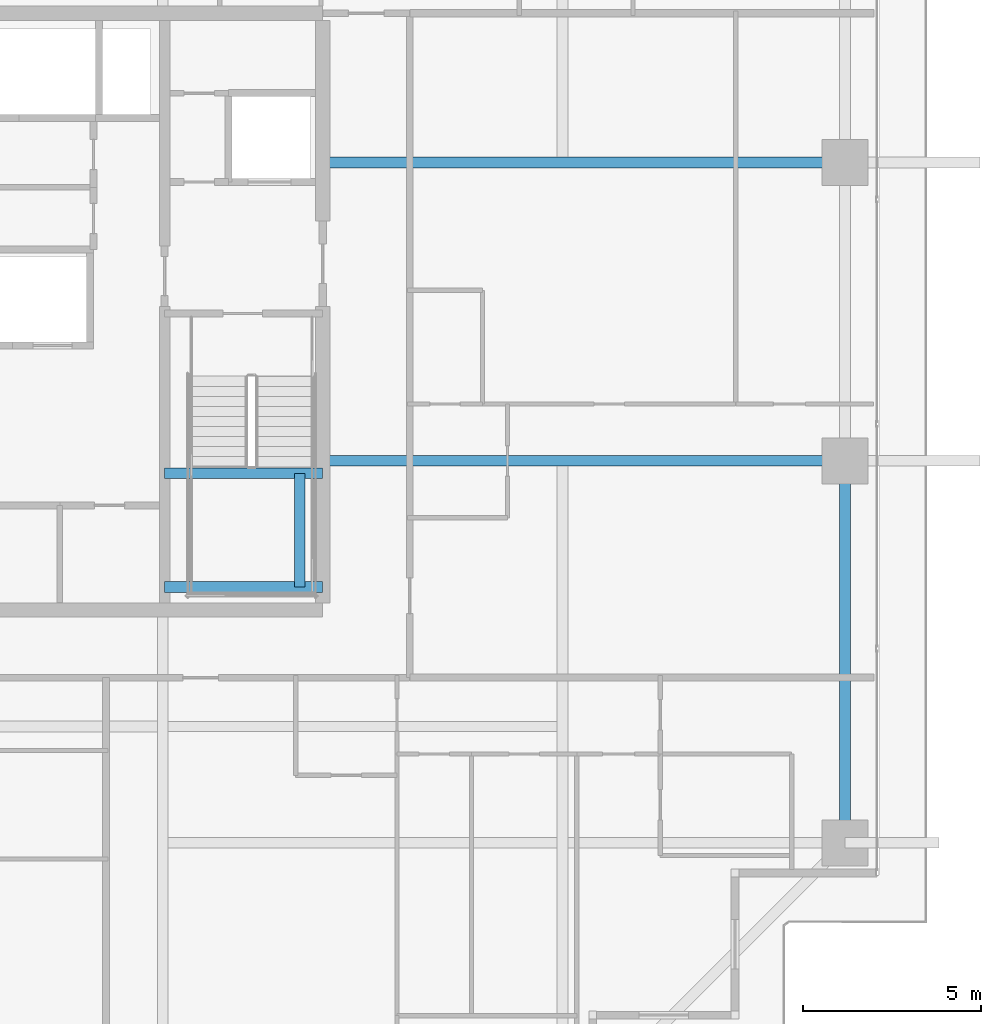
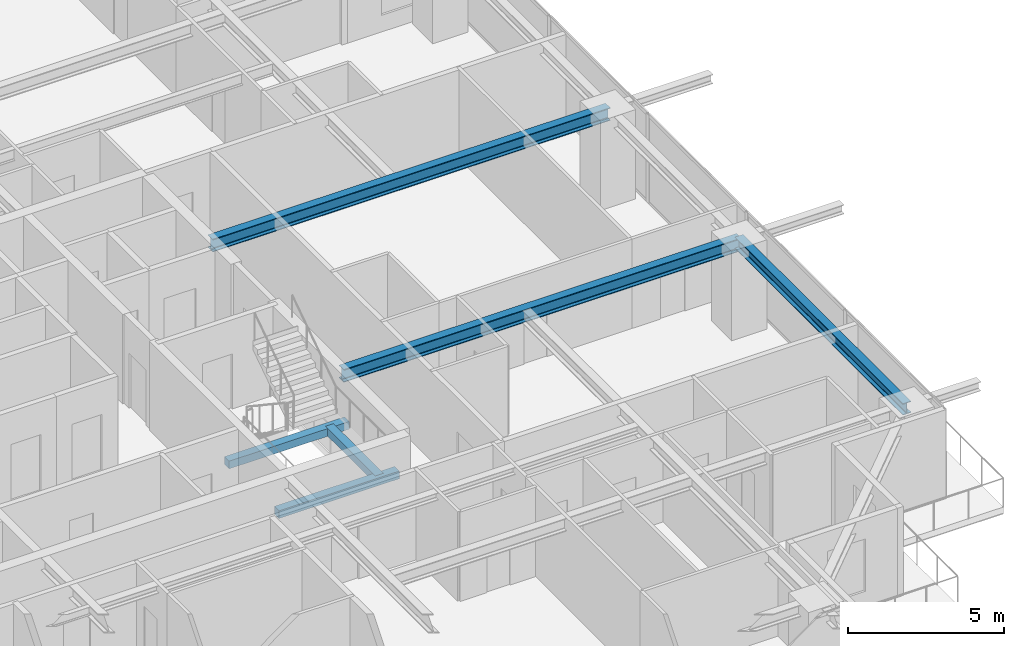
# One storey, part 14 of 35: 6 beams.
"""IFC4 building model written with IfcOpenShell, lengths in metres."""

from ifc_helpers import new_model, si_unit, direction, frame, origin, origin_2d, place, context, subcontext, project, spatial, rectangle, i_section, extrude, source, transform, mapped, material, material_profile, profile_set, type_object, element, save


model = new_model("IFC4")

# Units and contexts
model_context = context("Model", 3, precision=1e-05, world=origin(), true_north=direction((0.0, 1.0)))
body_context = subcontext(model_context, "Body", "Model", "MODEL_VIEW")
ifc_project = project(units=[si_unit("LENGTHUNIT", "METRE"), si_unit("AREAUNIT", "SQUARE_METRE"), si_unit("VOLUMEUNIT", "CUBIC_METRE"), si_unit("PLANEANGLEUNIT", "RADIAN"), si_unit("MASSUNIT", "GRAM", prefix="KILO")], contexts=[model_context])

# Site, building, storey
site_placement = place(None, origin())
site = spatial("IfcSite", under=ifc_project, at=site_placement, CompositionType="ELEMENT")
building_placement = place(site_placement, origin())
building = spatial("IfcBuilding", under=site, at=building_placement, Name="Serunith Strait Residences", CompositionType="ELEMENT")
storey_placement = place(building_placement, frame((0.0, 0.0, 172.64990234375)))
storey = spatial("IfcBuildingStorey", under=building, at=storey_placement, Name="L43", CompositionType="ELEMENT", Elevation=172.64990234375)

# Beams
ifc_material_1 = material(Name="Steel S355J2", Category="steel")
ifc_material_profile_1 = material_profile(ifc_material_1, i_section(OverallWidth=0.300048828125, OverallDepth=0.5, WebThickness=0.014404296875, FlangeThickness=0.028076171875, FilletRadius=0.027099609375, at=origin_2d()), Name="HEB 500")
ifc_profile_set_1 = profile_set([ifc_material_profile_1], Name="Steel S355J2")
beam_type_1 = type_object("IfcBeamType", Name="BM-HEB500", PredefinedType="BEAM", material=ifc_profile_set_1)
shared_shape_1 = source(origin(), body_context, "Body", "SweptSolid", [
    extrude(i_section(OverallWidth=0.300048828125, OverallDepth=0.5, WebThickness=0.014404296875, FlangeThickness=0.028076171875, FilletRadius=0.027099609375, at=origin_2d()), origin(), (0.0, 0.0, 1.0), 14.7001953125),
])
for number, where, z_axis, x_axis, name in (
    (1, (41.39990234375, 21.0, 3.237060546875), (1.0, 0.0, 0.0), (0.0, 1.0, 0.0), "L43 Primary Floor Girder TC-E2"),
    (2, (41.39990234375, 29.39990234375, 3.237060546875), (1.0, 0.0, 0.0), (0.0, 1.0, 0.0), "L43 Primary Floor Girder TC-E3"),
):
    element("IfcBeam", number, at=place(storey_placement, frame(where, z_axis=z_axis, x_axis=x_axis)), inside=storey, type_object=beam_type_1, Name=name, PredefinedType="BEAM", context=body_context, shape_type="MappedRepresentation", body=[
        mapped(shared_shape_1, transform((0.0, 0.0, 0.0), scale=1.0)),
    ])
ifc_material_profile_2 = material_profile(ifc_material_1, i_section(OverallWidth=0.300048828125, OverallDepth=0.449951171875, WebThickness=0.013916015625, FlangeThickness=0.02587890625, FilletRadius=0.027099609375, at=origin_2d()), Name="HEB 450")
ifc_profile_set_2 = profile_set([ifc_material_profile_2], Name="Steel S355J2")
beam_type_2 = type_object("IfcBeamType", Name="BM-HEB450", PredefinedType="BEAM", material=ifc_profile_set_2)
shared_shape_2 = source(origin(), body_context, "Body", "SweptSolid", [
    extrude(i_section(OverallWidth=0.300048828125, OverallDepth=0.449951171875, WebThickness=0.013916015625, FlangeThickness=0.02587890625, FilletRadius=0.027099609375, at=origin_2d()), origin(), (0.0, 0.0, 1.0), 10.75),
])
beam_1_placement = place(storey_placement, frame((56.10009765625, 10.25, 3.26220703125), z_axis=(0.0, 1.0, 0.0), x_axis=(-1.0, 0.0, 0.0)))
element("IfcBeam", 3, at=beam_1_placement, inside=storey, type_object=beam_type_2, Name="L43 Perimeter Ring Beam 05", PredefinedType="BEAM", context=body_context, shape_type="MappedRepresentation", body=[
    mapped(shared_shape_2, transform((0.0, 0.0, 0.0), scale=1.0)),
])
ifc_material_2 = material(Name="Concrete C60/75", Category="concrete")
ifc_material_profile_3 = material_profile(ifc_material_2, rectangle(XDim=0.300048828125, YDim=0.300048828125, at=origin_2d()), Name="RC 300x300")
ifc_profile_set_3 = profile_set([ifc_material_profile_3], Name="Concrete C60/75")
beam_type_3 = type_object("IfcBeamType", Name="BM-LAND-300x300", PredefinedType="BEAM", material=ifc_profile_set_3)
shared_shape_3 = source(origin(), body_context, "Body", "SweptSolid", [
    extrude(rectangle(XDim=0.300048828125, YDim=0.300048828125, at=origin_2d()), origin(), (0.0, 0.0, 1.0), 3.199951171875),
])
beam_2_placement = place(storey_placement, frame((40.75, 17.449951171875, 1.525146484375), z_axis=(0.0, 1.0, 0.0), x_axis=(-1.0, 0.0, 0.0)))
element("IfcBeam", 4, at=beam_2_placement, inside=storey, type_object=beam_type_3, Name="L43 ST-2 Landing Transverse Tie Beam", PredefinedType="BEAM", context=body_context, shape_type="MappedRepresentation", body=[
    mapped(shared_shape_3, transform((0.0, 0.0, 0.0), scale=1.0)),
])
shared_shape_4 = source(origin(), body_context, "Body", "SweptSolid", [
    extrude(rectangle(XDim=0.300048828125, YDim=0.300048828125, at=origin_2d()), origin(), (0.0, 0.0, 1.0), 4.449951171875),
])
for number, where, z_axis, x_axis, name in (
    (5, (36.949951171875, 17.449951171875, 1.525146484375), (1.0, 0.0, 0.0), (0.0, 1.0, 0.0), "L43 ST-2 Landing Support Beam 1"),
    (6, (36.949951171875, 20.64990234375, 1.525146484375), (1.0, 0.0, 0.0), (0.0, 1.0, 0.0), "L43 ST-2 Landing Support Beam 2"),
):
    element("IfcBeam", number, at=place(storey_placement, frame(where, z_axis=z_axis, x_axis=x_axis)), inside=storey, type_object=beam_type_3, Name=name, PredefinedType="BEAM", context=body_context, shape_type="MappedRepresentation", body=[
        mapped(shared_shape_4, transform((0.0, 0.0, 0.0), scale=1.0)),
    ])

save(model, "model.ifc")
